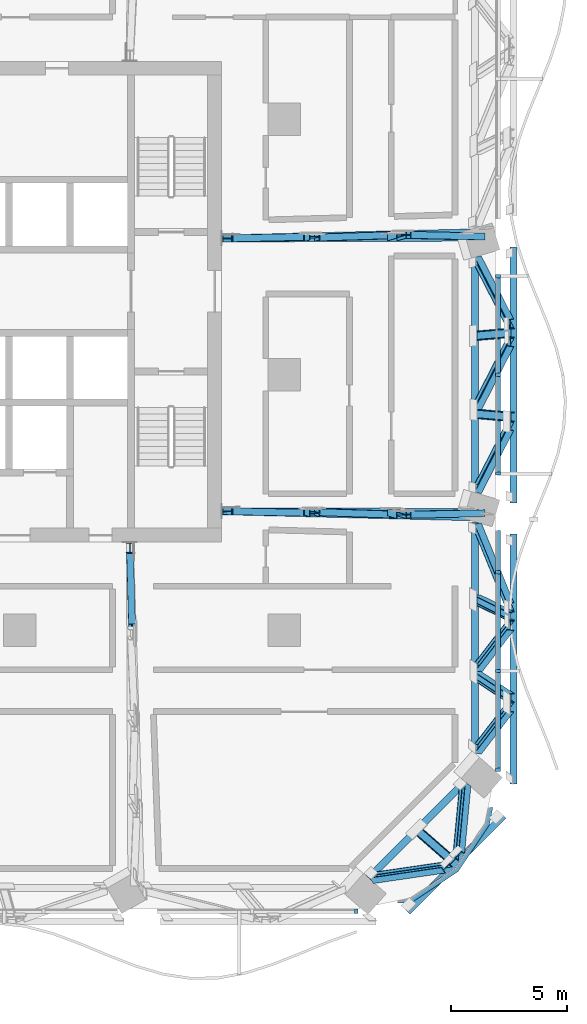
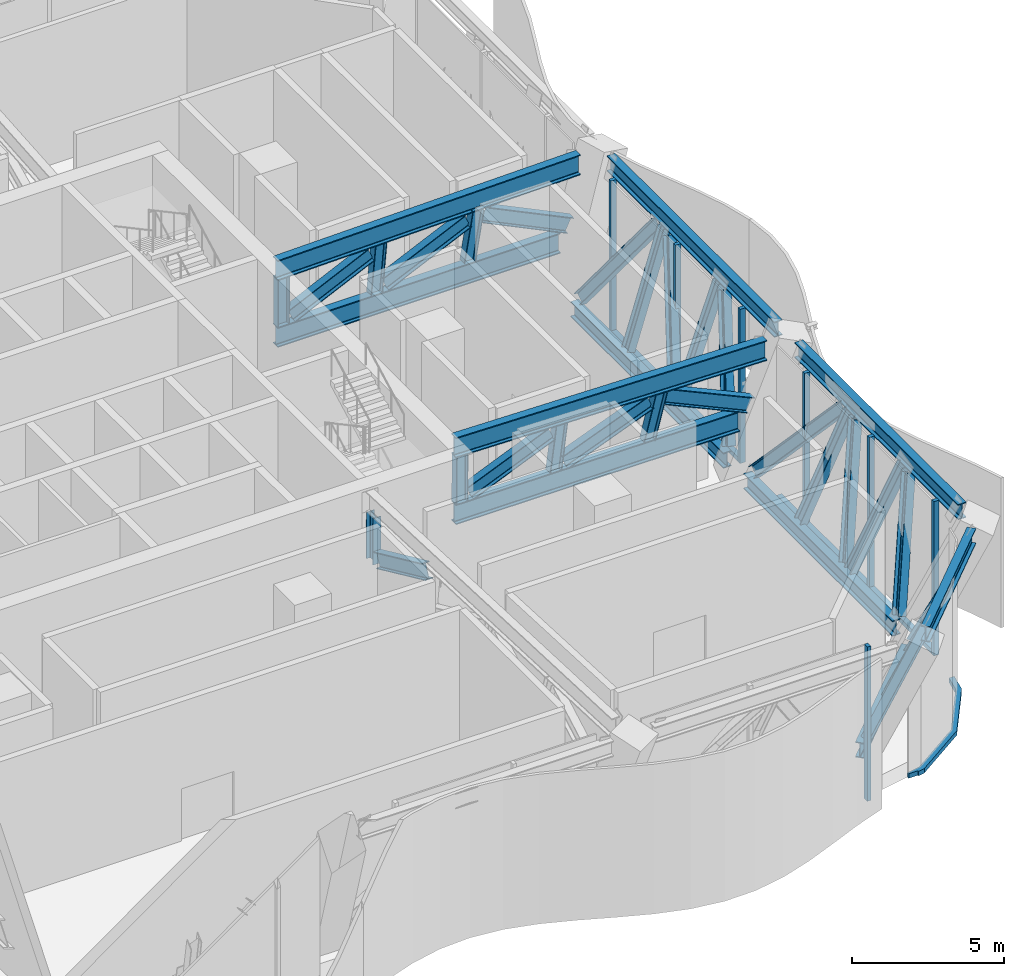
# One storey, part 4 of 26: 50 members, 3 elements without a shape of their own.
"""IFC4 building model written with IfcOpenShell, lengths in metres."""

from ifc_helpers import new_model, si_unit, direction, frame, origin, origin_2d, place, context, subcontext, project, spatial, polyline, rectangle, i_section, outline, extrude, material, material_profile, profile_set, type_object, element, aggregate, save


model = new_model("IFC4")

# Units and contexts
model_context = context("Model", 3, precision=1e-05, world=origin(), true_north=direction((0.0, 1.0)))
body_context = subcontext(model_context, "Body", "Model", "MODEL_VIEW")
ifc_project = project(units=[si_unit("LENGTHUNIT", "METRE"), si_unit("AREAUNIT", "SQUARE_METRE"), si_unit("VOLUMEUNIT", "CUBIC_METRE"), si_unit("PLANEANGLEUNIT", "RADIAN"), si_unit("MASSUNIT", "GRAM", prefix="KILO")], contexts=[model_context])

# Site, building, storey
site_placement = place(None, origin())
site = spatial("IfcSite", under=ifc_project, at=site_placement, CompositionType="ELEMENT")
building_placement = place(site_placement, origin())
building = spatial("IfcBuilding", under=site, at=building_placement, Name="Mopane Tessera Tower", CompositionType="ELEMENT")
storey_placement = place(building_placement, frame((0.0, 0.0, 205.0)))
storey = spatial("IfcBuildingStorey", under=building, at=storey_placement, Name="L43", CompositionType="ELEMENT", Elevation=205.0)

# Curtain wall, member
ifc_material_1 = material(Name="Aluminium frame", Category="aluminium")
curtain_wall_type = type_object("IfcCurtainWallType", Name="Plant floor unitised wall", PredefinedType="NOTDEFINED", material=ifc_material_1)
curtain_wall_1_placement = place(storey_placement, origin())
curtain_wall_1 = element("IfcCurtainWall", 1, at=curtain_wall_1_placement, inside=storey, type_object=curtain_wall_type, Name="e:cw:L43:S:0", PredefinedType="NOTDEFINED")
ifc_material_2 = material(Name="Aluminium frame", Category="aluminium")
ifc_material_profile_1 = material_profile(ifc_material_2, rectangle(XDim=0.139892578125, YDim=0.199951171875, at=origin_2d()))
ifc_profile_set_1 = profile_set([ifc_material_profile_1], Name="Aluminium frame")
member_type_1 = type_object("IfcMemberType", Name="Aluminium mullion 140 x 200", PredefinedType="MULLION", material=ifc_profile_set_1)
member_1_placement = place(storey_placement, frame((20.199951171875, -23.10009765625, -0.60009765625), z_axis=(0.0, 0.0, 1.0), x_axis=(1.0, 0.0, 0.0)))
member_1 = element("IfcMember", 2, at=member_1_placement, type_object=member_type_1, Name="e:cw:L43:S:0:mu9", PredefinedType="MULLION", context=body_context, shape_type="SweptSolid", body=[
    extrude(rectangle(XDim=0.139892578125, YDim=0.199951171875, at=origin_2d()), origin(), (0.0, 0.0, 1.0), 6.2001953125),
])
aggregate(curtain_wall_1, [member_1])

# Curtain wall, members
curtain_wall_2_placement = place(storey_placement, origin())
curtain_wall_2 = element("IfcCurtainWall", 3, at=curtain_wall_2_placement, inside=storey, type_object=curtain_wall_type, Name="e:cw:L43:E:0", PredefinedType="NOTDEFINED")
member_2_placement = place(storey_placement, frame((26.300048828125, -17.0, -0.60009765625), z_axis=(0.0, 0.0, 1.0), x_axis=(0.0, 1.0, 0.0)))
member_2 = element("IfcMember", 4, at=member_2_placement, type_object=member_type_1, Name="e:cw:L43:E:0:mu0", PredefinedType="MULLION", context=body_context, shape_type="SweptSolid", body=[
    extrude(rectangle(XDim=0.139892578125, YDim=0.199951171875, at=origin_2d()), origin(), (0.0, 0.0, 1.0), 6.2001953125),
])
member_3_placement = place(storey_placement, frame((26.300048828125, -12.75, -0.60009765625), z_axis=(0.0, 0.0, 1.0), x_axis=(0.0, 1.0, 0.0)))
member_3 = element("IfcMember", 5, at=member_3_placement, type_object=member_type_1, Name="e:cw:L43:E:0:mu1", PredefinedType="MULLION", context=body_context, shape_type="SweptSolid", body=[
    extrude(rectangle(XDim=0.139892578125, YDim=0.199951171875, at=origin_2d()), origin(), (0.0, 0.0, 1.0), 6.2001953125),
])
member_4_placement = place(storey_placement, frame((26.300048828125, -8.5, -0.60009765625), z_axis=(0.0, 0.0, 1.0), x_axis=(0.0, 1.0, 0.0)))
member_4 = element("IfcMember", 6, at=member_4_placement, type_object=member_type_1, Name="e:cw:L43:E:0:mu2", PredefinedType="MULLION", context=body_context, shape_type="SweptSolid", body=[
    extrude(rectangle(XDim=0.139892578125, YDim=0.199951171875, at=origin_2d()), origin(), (0.0, 0.0, 1.0), 6.2001953125),
])
member_5_placement = place(storey_placement, frame((26.300048828125, -4.25, -0.60009765625), z_axis=(0.0, 0.0, 1.0), x_axis=(0.0, 1.0, 0.0)))
member_5 = element("IfcMember", 7, at=member_5_placement, type_object=member_type_1, Name="e:cw:L43:E:0:mu3", PredefinedType="MULLION", context=body_context, shape_type="SweptSolid", body=[
    extrude(rectangle(XDim=0.139892578125, YDim=0.199951171875, at=origin_2d()), origin(), (0.0, 0.0, 1.0), 6.2001953125),
])
member_6_placement = place(storey_placement, frame((26.300048828125, 0.0, -0.60009765625), z_axis=(0.0, 0.0, 1.0), x_axis=(0.0, 1.0, 0.0)))
member_6 = element("IfcMember", 8, at=member_6_placement, type_object=member_type_1, Name="e:cw:L43:E:0:mu4", PredefinedType="MULLION", context=body_context, shape_type="SweptSolid", body=[
    extrude(rectangle(XDim=0.139892578125, YDim=0.199951171875, at=origin_2d()), origin(), (0.0, 0.0, 1.0), 6.2001953125),
])
member_7_placement = place(storey_placement, frame((26.300048828125, 4.25, -0.60009765625), z_axis=(0.0, 0.0, 1.0), x_axis=(0.0, 1.0, 0.0)))
member_7 = element("IfcMember", 9, at=member_7_placement, type_object=member_type_1, Name="e:cw:L43:E:0:mu5", PredefinedType="MULLION", context=body_context, shape_type="SweptSolid", body=[
    extrude(rectangle(XDim=0.139892578125, YDim=0.199951171875, at=origin_2d()), origin(), (0.0, 0.0, 1.0), 6.2001953125),
])

# Curtain wall, member
curtain_wall_3_placement = place(storey_placement, origin())
curtain_wall_3 = element("IfcCurtainWall", 10, at=curtain_wall_3_placement, inside=storey, type_object=curtain_wall_type, Name="e:cw:L43:CS", PredefinedType="NOTDEFINED")
ifc_material_3 = material(Name="Aluminium frame", Category="aluminium")
ifc_material_profile_2 = material_profile(ifc_material_3, rectangle(XDim=0.199951171875, YDim=0.179931640625, at=origin_2d()))
ifc_profile_set_2 = profile_set([ifc_material_profile_2], Name="Aluminium frame")
member_type_2 = type_object("IfcMemberType", Name="Aluminium transom 200 x 180", PredefinedType="USERDEFINED", material=ifc_profile_set_2)
member_8_placement = place(storey_placement, frame((0.0, 0.0, -0.60009765625)))
member_8 = element("IfcMember", 11, at=member_8_placement, type_object=member_type_2, Name="e:cw:L43:CS:tr", ObjectType="TRANSOM", PredefinedType="USERDEFINED", context=body_context, shape_type="SweptSolid", body=[
    extrude(outline(polyline([(24.442626953125, -21.24267578125), (25.7431640625, -19.296142578125), (25.875732421875, -18.630615234375), (26.07568359375, -18.630615234375), (25.927978515625, -19.37255859375), (24.583984375, -21.384033203125), (22.57275390625, -22.72802734375), (22.322265625, -22.77783203125), (22.322265625, -22.73193359375), (21.977783203125, -22.73193359375), (21.977783203125, -22.646484375), (22.49609375, -22.543212890625), (24.442626953125, -21.24267578125)])), origin(), (0.0, 0.0, 1.0), 0.18017578125),
])
aggregate(curtain_wall_3, [member_8])

# Member
member_9_placement = place(storey_placement, frame((26.300048828125, -16.929931640625, -0.510009765625), z_axis=(0.0, 1.0, 0.0), x_axis=(-1.0, 0.0, 0.0)))
member_9 = element("IfcMember", 12, at=member_9_placement, type_object=member_type_2, Name="e:cw:L43:E:0:tr0", ObjectType="TRANSOM", PredefinedType="USERDEFINED", context=body_context, shape_type="SweptSolid", body=[
    extrude(rectangle(XDim=0.199951171875, YDim=0.179931640625, at=origin_2d()), origin(), (0.0, 0.0, 1.0), 4.10986328125),
])

member_10_placement = place(storey_placement, frame((26.300048828125, -12.679931640625, -0.510009765625), z_axis=(0.0, 1.0, 0.0), x_axis=(-1.0, 0.0, 0.0)))
member_10 = element("IfcMember", 13, at=member_10_placement, type_object=member_type_2, Name="e:cw:L43:E:0:tr1", ObjectType="TRANSOM", PredefinedType="USERDEFINED", context=body_context, shape_type="SweptSolid", body=[
    extrude(rectangle(XDim=0.199951171875, YDim=0.179931640625, at=origin_2d()), origin(), (0.0, 0.0, 1.0), 4.10986328125),
])

member_11_placement = place(storey_placement, frame((26.300048828125, -8.429931640625, -0.510009765625), z_axis=(0.0, 1.0, 0.0), x_axis=(-1.0, 0.0, 0.0)))
member_11 = element("IfcMember", 14, at=member_11_placement, type_object=member_type_2, Name="e:cw:L43:E:0:tr2", ObjectType="TRANSOM", PredefinedType="USERDEFINED", context=body_context, shape_type="SweptSolid", body=[
    extrude(rectangle(XDim=0.199951171875, YDim=0.179931640625, at=origin_2d()), origin(), (0.0, 0.0, 1.0), 1.71923828125),
])

member_12_placement = place(storey_placement, frame((26.300048828125, -4.179931640625, -0.510009765625), z_axis=(0.0, 1.0, 0.0), x_axis=(-1.0, 0.0, 0.0)))
member_12 = element("IfcMember", 15, at=member_12_placement, type_object=member_type_2, Name="e:cw:L43:E:0:tr3", ObjectType="TRANSOM", PredefinedType="USERDEFINED", context=body_context, shape_type="SweptSolid", body=[
    extrude(rectangle(XDim=0.199951171875, YDim=0.179931640625, at=origin_2d()), origin(), (0.0, 0.0, 1.0), 4.10986328125),
])

member_13_placement = place(storey_placement, frame((26.300048828125, 0.070068359375, -0.510009765625), z_axis=(0.0, 1.0, 0.0), x_axis=(-1.0, 0.0, 0.0)))
member_13 = element("IfcMember", 16, at=member_13_placement, type_object=member_type_2, Name="e:cw:L43:E:0:tr4", ObjectType="TRANSOM", PredefinedType="USERDEFINED", context=body_context, shape_type="SweptSolid", body=[
    extrude(rectangle(XDim=0.199951171875, YDim=0.179931640625, at=origin_2d()), origin(), (0.0, 0.0, 1.0), 4.10986328125),
])

aggregate(curtain_wall_2, [member_2, member_3, member_4, member_5, member_6, member_7, member_9, member_10, member_11, member_12, member_13])

# Members
ifc_material_4 = material(Name="Structural steel S460", Category="steel")
ifc_material_profile_3 = material_profile(ifc_material_4, i_section(OverallWidth=0.304931640625, OverallDepth=0.6201171875, WebThickness=0.02099609375, FlangeThickness=0.0400390625, FilletRadius=0.027099609375, at=origin_2d()))
ifc_profile_set_3 = profile_set([ifc_material_profile_3], Name="Structural steel S460")
member_type_3 = type_object("IfcMemberType", Name="Belt truss chord HE 600 M", PredefinedType="CHORD", material=ifc_profile_set_3)
for number, where, z_axis, x_axis, name in (
    (17, (20.7353515625, -21.658447265625, 0.31005859375), (0.707106781187, 0.707106781187, 0.0), (-0.707106781187, 0.707106781187, 0.0), "Belt truss bottom chord L43 S4-E0"),
    (18, (22.395263671875, -23.11083984375, 5.2900390625), (0.707106781187, 0.707106781187, 0.0), (-0.707106781187, 0.707106781187, 0.0), "Belt truss top chord L43 S4-E0"),
):
    element("IfcMember", number, at=place(storey_placement, frame(where, z_axis=z_axis, x_axis=x_axis)), inside=storey, type_object=member_type_3, Name=name, PredefinedType="CHORD", context=body_context, shape_type="SweptSolid", body=[
        extrude(i_section(OverallWidth=0.304931640625, OverallDepth=0.6201171875, WebThickness=0.02099609375, FlangeThickness=0.0400390625, FilletRadius=0.027099609375, at=origin_2d()), origin(), (0.0, 0.0, 1.0), 5.84912109375),
    ])
member_14_placement = place(storey_placement, frame((25.30322265625, -16.160400390625, 0.31005859375), z_axis=(0.0, 1.0, 0.0), x_axis=(-1.0, 0.0, 0.0)))
element("IfcMember", 19, at=member_14_placement, inside=storey, type_object=member_type_3, Name="Belt truss bottom chord L43 E0-E1", PredefinedType="CHORD", context=body_context, shape_type="SweptSolid", body=[
    extrude(i_section(OverallWidth=0.304931640625, OverallDepth=0.6201171875, WebThickness=0.02099609375, FlangeThickness=0.0400390625, FilletRadius=0.027099609375, at=origin_2d()), origin(), (0.0, 0.0, 1.0), 9.794677734375),
])
member_15_placement = place(storey_placement, frame((26.96337890625, -17.61279296875, 5.2900390625), z_axis=(0.0, 1.0, 0.0), x_axis=(-1.0, 0.0, 0.0)))
element("IfcMember", 20, at=member_15_placement, inside=storey, type_object=member_type_3, Name="Belt truss top chord L43 E0-E1", PredefinedType="CHORD", context=body_context, shape_type="SweptSolid", body=[
    extrude(i_section(OverallWidth=0.304931640625, OverallDepth=0.6201171875, WebThickness=0.02099609375, FlangeThickness=0.0400390625, FilletRadius=0.027099609375, at=origin_2d()), origin(), (0.0, 0.0, 1.0), 10.762939453125),
])
member_16_placement = place(storey_placement, frame((25.30322265625, -5.02783203125, 0.31005859375), z_axis=(0.0, 1.0, 0.0), x_axis=(-1.0, 0.0, 0.0)))
element("IfcMember", 21, at=member_16_placement, inside=storey, type_object=member_type_3, Name="Belt truss bottom chord L43 E1-E2", PredefinedType="CHORD", context=body_context, shape_type="SweptSolid", body=[
    extrude(i_section(OverallWidth=0.304931640625, OverallDepth=0.6201171875, WebThickness=0.02099609375, FlangeThickness=0.0400390625, FilletRadius=0.027099609375, at=origin_2d()), origin(), (0.0, 0.0, 1.0), 10.0556640625),
])
member_17_placement = place(storey_placement, frame((26.96337890625, -5.511962890625, 5.2900390625), z_axis=(0.0, 1.0, 0.0), x_axis=(-1.0, 0.0, 0.0)))
element("IfcMember", 22, at=member_17_placement, inside=storey, type_object=member_type_3, Name="Belt truss top chord L43 E1-E2", PredefinedType="CHORD", context=body_context, shape_type="SweptSolid", body=[
    extrude(i_section(OverallWidth=0.304931640625, OverallDepth=0.6201171875, WebThickness=0.02099609375, FlangeThickness=0.0400390625, FilletRadius=0.027099609375, at=origin_2d()), origin(), (0.0, 0.0, 1.0), 11.02392578125),
])
ifc_material_5 = material(Name="Structural steel S460", Category="steel")
ifc_material_profile_4 = material_profile(ifc_material_5, i_section(OverallWidth=0.300048828125, OverallDepth=0.449951171875, WebThickness=0.013916015625, FlangeThickness=0.02587890625, FilletRadius=0.027099609375, at=origin_2d()))
ifc_profile_set_4 = profile_set([ifc_material_profile_4], Name="Structural steel S460")
member_type_4 = type_object("IfcMemberType", Name="Belt truss diagonal HE 450 B", PredefinedType="BRACE", material=ifc_profile_set_4)
member_18_placement = place(storey_placement, frame((20.988525390625, -21.64599609375, 0.695068359375), z_axis=(0.588337593161, 0.085800203806, 0.80405049686), x_axis=(-0.532813929341, 0.789099900019, 0.305664300322)))
element("IfcMember", 23, at=member_18_placement, inside=storey, type_object=member_type_4, Name="Belt truss diagonal 0 L43 S4-E0", PredefinedType="BRACE", context=body_context, shape_type="SweptSolid", body=[
    extrude(i_section(OverallWidth=0.300048828125, OverallDepth=0.449951171875, WebThickness=0.013916015625, FlangeThickness=0.02587890625, FilletRadius=0.027099609375, at=origin_2d()), origin(), (0.0, 0.0, 1.0), 5.235595703125),
])
member_19_placement = place(storey_placement, frame((24.60107421875, -20.66455078125, 4.90478515625), z_axis=(0.053479155953, 0.567155505062, -0.821872625749), x_axis=(-0.779769071983, 0.53785629451, 0.32042284693)))
element("IfcMember", 24, at=member_19_placement, inside=storey, type_object=member_type_4, Name="Belt truss diagonal 1 L43 S4-E0", PredefinedType="BRACE", context=body_context, shape_type="SweptSolid", body=[
    extrude(i_section(OverallWidth=0.300048828125, OverallDepth=0.449951171875, WebThickness=0.013916015625, FlangeThickness=0.02587890625, FilletRadius=0.027099609375, at=origin_2d()), origin(), (0.0, 0.0, 1.0), 5.1220703125),
])
member_20_placement = place(storey_placement, frame((25.436279296875, -16.102783203125, 0.708984375), z_axis=(0.292684281038, 0.378746786794, 0.878001584922), x_axis=(-0.9562091341, 0.115986684967, 0.268721381312)))
element("IfcMember", 25, at=member_20_placement, inside=storey, type_object=member_type_4, Name="Belt truss diagonal 0 L43 E0-E1", PredefinedType="BRACE", context=body_context, shape_type="SweptSolid", body=[
    extrude(i_section(OverallWidth=0.300048828125, OverallDepth=0.449951171875, WebThickness=0.013916015625, FlangeThickness=0.02587890625, FilletRadius=0.027099609375, at=origin_2d()), origin(), (0.0, 0.0, 1.0), 4.762939453125),
])
member_21_placement = place(storey_placement, frame((25.43359375, -12.606689453125, 0.700927734375), z_axis=(0.292465810792, 0.380430056746, 0.877346409032), x_axis=(-0.956275976822, 0.116422330726, 0.268294795071)))
element("IfcMember", 26, at=member_21_placement, inside=storey, type_object=member_type_4, Name="Belt truss diagonal 1 L43 E0-E1", PredefinedType="BRACE", context=body_context, shape_type="SweptSolid", body=[
    extrude(i_section(OverallWidth=0.300048828125, OverallDepth=0.449951171875, WebThickness=0.013916015625, FlangeThickness=0.02587890625, FilletRadius=0.027099609375, at=origin_2d()), origin(), (0.0, 0.0, 1.0), 4.784912109375),
])
member_22_placement = place(storey_placement, frame((26.830322265625, -9.988525390625, 4.890869140625), z_axis=(-0.250092587461, 0.612047953972, -0.750233963331), x_axis=(-0.968221925622, -0.158109369998, 0.193772366101)))
element("IfcMember", 27, at=member_22_placement, inside=storey, type_object=member_type_4, Name="Belt truss diagonal 2 L43 E0-E1", PredefinedType="BRACE", context=body_context, shape_type="SweptSolid", body=[
    extrude(i_section(OverallWidth=0.300048828125, OverallDepth=0.449951171875, WebThickness=0.013916015625, FlangeThickness=0.02587890625, FilletRadius=0.027099609375, at=origin_2d()), origin(), (0.0, 0.0, 1.0), 5.57421875),
])
member_23_placement = place(storey_placement, frame((25.4375, -4.8974609375, 0.71240234375), z_axis=(0.269576353856, 0.522694361897, 0.808776355665), x_axis=(-0.962979017302, 0.146287345786, 0.226431942752)))
element("IfcMember", 28, at=member_23_placement, inside=storey, type_object=member_type_4, Name="Belt truss diagonal 0 L43 E1-E2", PredefinedType="BRACE", context=body_context, shape_type="SweptSolid", body=[
    extrude(i_section(OverallWidth=0.300048828125, OverallDepth=0.449951171875, WebThickness=0.013916015625, FlangeThickness=0.02587890625, FilletRadius=0.027099609375, at=origin_2d()), origin(), (0.0, 0.0, 1.0), 5.162109375),
])
member_24_placement = place(storey_placement, frame((25.434814453125, -1.31494140625, 0.70458984375), z_axis=(0.269185843615, 0.524775967411, 0.807557530845), x_axis=(-0.963088252065, 0.146692187069, 0.225704277733)))
element("IfcMember", 29, at=member_24_placement, inside=storey, type_object=member_type_4, Name="Belt truss diagonal 1 L43 E1-E2", PredefinedType="BRACE", context=body_context, shape_type="SweptSolid", body=[
    extrude(i_section(OverallWidth=0.300048828125, OverallDepth=0.449951171875, WebThickness=0.013916015625, FlangeThickness=0.02587890625, FilletRadius=0.027099609375, at=origin_2d()), origin(), (0.0, 0.0, 1.0), 5.189697265625),
])
member_25_placement = place(storey_placement, frame((26.8291015625, 2.19921875, 4.887451171875), z_axis=(-0.269576353856, 0.522694361897, -0.808776355665), x_axis=(-0.962979017302, -0.146287345786, 0.226431942752)))
element("IfcMember", 30, at=member_25_placement, inside=storey, type_object=member_type_4, Name="Belt truss diagonal 2 L43 E1-E2", PredefinedType="BRACE", context=body_context, shape_type="SweptSolid", body=[
    extrude(i_section(OverallWidth=0.300048828125, OverallDepth=0.449951171875, WebThickness=0.013916015625, FlangeThickness=0.02587890625, FilletRadius=0.027099609375, at=origin_2d()), origin(), (0.0, 0.0, 1.0), 5.162109375),
])
ifc_material_6 = material(Name="Structural steel S460", Category="steel")
ifc_material_profile_5 = material_profile(ifc_material_6, i_section(OverallWidth=0.300048828125, OverallDepth=0.39990234375, WebThickness=0.013427734375, FlangeThickness=0.02392578125, FilletRadius=0.027099609375, at=origin_2d()))
ifc_profile_set_5 = profile_set([ifc_material_profile_5], Name="Structural steel S460")
member_type_5 = type_object("IfcMemberType", Name="Belt truss post HE 400 B", PredefinedType="POST", material=ifc_profile_set_5)
member_26_placement = place(storey_placement, frame((22.90673828125, -19.680908203125, 0.6201171875), z_axis=(0.304747191125, -0.266653792234, 0.914343974984), x_axis=(-0.638405437369, 0.655233196954, 0.403866258985)))
element("IfcMember", 31, at=member_26_placement, inside=storey, type_object=member_type_5, Name="Belt truss post 1 L43 S4-E0", PredefinedType="POST", context=body_context, shape_type="SweptSolid", body=[
    extrude(i_section(OverallWidth=0.300048828125, OverallDepth=0.39990234375, WebThickness=0.013427734375, FlangeThickness=0.02392578125, FilletRadius=0.027099609375, at=origin_2d()), origin(), (0.0, 0.0, 1.0), 4.768310546875),
])
member_27_placement = place(storey_placement, frame((25.40673828125, -12.9638671875, 0.6201171875), z_axis=(0.309522043948, -0.204371914098, 0.928670137906), x_axis=(-0.950892266512, -0.066480921582, 0.302298171602)))
element("IfcMember", 32, at=member_27_placement, inside=storey, type_object=member_type_5, Name="Belt truss post 1 L43 E0-E1", PredefinedType="POST", context=body_context, shape_type="SweptSolid", body=[
    extrude(i_section(OverallWidth=0.300048828125, OverallDepth=0.39990234375, WebThickness=0.013427734375, FlangeThickness=0.02392578125, FilletRadius=0.027099609375, at=origin_2d()), origin(), (0.0, 0.0, 1.0), 4.69482421875),
])
member_28_placement = place(storey_placement, frame((25.40673828125, -9.681640625, 0.6201171875), z_axis=(0.312421061846, -0.154058436915, 0.937368165733), x_axis=(-0.94994372346, -0.050616707484, 0.308293482225)))
element("IfcMember", 33, at=member_28_placement, inside=storey, type_object=member_type_5, Name="Belt truss post 2 L43 E0-E1", PredefinedType="POST", context=body_context, shape_type="SweptSolid", body=[
    extrude(i_section(OverallWidth=0.300048828125, OverallDepth=0.39990234375, WebThickness=0.013427734375, FlangeThickness=0.02392578125, FilletRadius=0.027099609375, at=origin_2d()), origin(), (0.0, 0.0, 1.0), 4.651123046875),
])
for number, where, z_axis, x_axis, name in (
    (34, (25.40673828125, -1.684814453125, 0.6201171875), (0.316079447908, -0.027136525182, 0.948344553214), (-0.948732722766, -0.008979687174, 0.315951872872), "Belt truss post 1 L43 E1-E2"),
    (35, (25.40673828125, 1.684814453125, 0.6201171875), (0.316079447908, 0.027136525182, 0.948344553214), (-0.948732722766, 0.008979687174, 0.315951872872), "Belt truss post 2 L43 E1-E2"),
):
    element("IfcMember", number, at=place(storey_placement, frame(where, z_axis=z_axis, x_axis=x_axis)), inside=storey, type_object=member_type_5, Name=name, PredefinedType="POST", context=body_context, shape_type="SweptSolid", body=[
        extrude(i_section(OverallWidth=0.300048828125, OverallDepth=0.39990234375, WebThickness=0.013427734375, FlangeThickness=0.02392578125, FilletRadius=0.027099609375, at=origin_2d()), origin(), (0.0, 0.0, 1.0), 4.597412109375),
    ])
ifc_material_7 = material(Name="Structural steel S460", Category="steel")
ifc_material_profile_6 = material_profile(ifc_material_7, i_section(OverallWidth=0.302978515625, OverallDepth=0.81396484375, WebThickness=0.02099609375, FlangeThickness=0.0400390625, FilletRadius=0.030029296875, at=origin_2d()))
ifc_profile_set_6 = profile_set([ifc_material_profile_6], Name="Structural steel S460")
member_type_6 = type_object("IfcMemberType", Name="Outrigger truss chord HE 800 M", PredefinedType="CHORD", material=ifc_profile_set_6)
member_29_placement = place(storey_placement, frame((14.4150390625, -5.870849609375, 2.507080078125), z_axis=(0.99999421857, -0.003400415596, 0.0), x_axis=(0.003400415596, 0.99999421857, 0.0)))
element("IfcMember", 36, at=member_29_placement, inside=storey, type_object=member_type_6, Name="Outrigger truss bottom chord L43 E1", PredefinedType="CHORD", context=body_context, shape_type="SweptSolid", body=[
    extrude(i_section(OverallWidth=0.302978515625, OverallDepth=0.81396484375, WebThickness=0.02099609375, FlangeThickness=0.0400390625, FilletRadius=0.030029296875, at=origin_2d()), origin(), (0.0, 0.0, 1.0), 10.76953125),
])
member_30_placement = place(storey_placement, frame((14.4150390625, -5.871337890625, 5.193115234375), z_axis=(0.999712224679, -0.023988910496, 0.0), x_axis=(0.023988910496, 0.999712224679, 0.0)))
element("IfcMember", 37, at=member_30_placement, inside=storey, type_object=member_type_6, Name="Outrigger truss top chord L43 E1", PredefinedType="CHORD", context=body_context, shape_type="SweptSolid", body=[
    extrude(i_section(OverallWidth=0.302978515625, OverallDepth=0.81396484375, WebThickness=0.02099609375, FlangeThickness=0.0400390625, FilletRadius=0.030029296875, at=origin_2d()), origin(), (0.0, 0.0, 1.0), 11.67333984375),
])
member_31_placement = place(storey_placement, frame((14.4150390625, 5.870849609375, 2.507080078125), z_axis=(0.99999421857, 0.003400415596, 0.0), x_axis=(-0.003400415596, 0.99999421857, 0.0)))
element("IfcMember", 38, at=member_31_placement, inside=storey, type_object=member_type_6, Name="Outrigger truss bottom chord L43 E2", PredefinedType="CHORD", context=body_context, shape_type="SweptSolid", body=[
    extrude(i_section(OverallWidth=0.302978515625, OverallDepth=0.81396484375, WebThickness=0.02099609375, FlangeThickness=0.0400390625, FilletRadius=0.030029296875, at=origin_2d()), origin(), (0.0, 0.0, 1.0), 10.76953125),
])
member_32_placement = place(storey_placement, frame((14.4150390625, 5.871337890625, 5.193115234375), z_axis=(0.999712224679, 0.023988910496, 0.0), x_axis=(-0.023988910496, 0.999712224679, 0.0)))
element("IfcMember", 39, at=member_32_placement, inside=storey, type_object=member_type_6, Name="Outrigger truss top chord L43 E2", PredefinedType="CHORD", context=body_context, shape_type="SweptSolid", body=[
    extrude(i_section(OverallWidth=0.302978515625, OverallDepth=0.81396484375, WebThickness=0.02099609375, FlangeThickness=0.0400390625, FilletRadius=0.030029296875, at=origin_2d()), origin(), (0.0, 0.0, 1.0), 11.67333984375),
])
ifc_material_8 = material(Name="Structural steel S460", Category="steel")
ifc_material_profile_7 = material_profile(ifc_material_8, i_section(OverallWidth=0.300048828125, OverallDepth=0.60009765625, WebThickness=0.015380859375, FlangeThickness=0.030029296875, FilletRadius=0.027099609375, at=origin_2d()))
ifc_profile_set_7 = profile_set([ifc_material_profile_7], Name="Structural steel S460")
member_type_7 = type_object("IfcMemberType", Name="Outrigger truss diagonal HE 600 B", PredefinedType="BRACE", material=ifc_profile_set_7)
member_33_placement = place(storey_placement, frame((14.9677734375, -5.8759765625, 3.16748046875), z_axis=(0.913549193723, -0.019256326466, 0.406272155751), x_axis=(0.018145929553, 0.999813660308, 0.006585582837)))
element("IfcMember", 40, at=member_33_placement, inside=storey, type_object=member_type_7, Name="Outrigger truss diagonal 0 L43 E1", PredefinedType="BRACE", context=body_context, shape_type="SweptSolid", body=[
    extrude(i_section(OverallWidth=0.300048828125, OverallDepth=0.60009765625, WebThickness=0.015380859375, FlangeThickness=0.030029296875, FilletRadius=0.027099609375, at=origin_2d()), origin(), (0.0, 0.0, 1.0), 3.35986328125),
])
member_34_placement = place(storey_placement, frame((18.549072265625, -5.9072265625, 3.16748046875), z_axis=(0.919696148503, -0.030108058154, 0.391474774746), x_axis=(0.028224822525, 0.999545761781, 0.010565486265)))
element("IfcMember", 41, at=member_34_placement, inside=storey, type_object=member_type_7, Name="Outrigger truss diagonal 1 L43 E1", PredefinedType="BRACE", context=body_context, shape_type="SweptSolid", body=[
    extrude(i_section(OverallWidth=0.300048828125, OverallDepth=0.60009765625, WebThickness=0.015380859375, FlangeThickness=0.030029296875, FilletRadius=0.027099609375, at=origin_2d()), origin(), (0.0, 0.0, 1.0), 3.48681640625),
])
member_35_placement = place(storey_placement, frame((22.415771484375, -6.0244140625, 4.527099609375), z_axis=(0.904625953509, 0.019337315433, -0.425767486393), x_axis=(-0.016879154357, 0.999811966745, 0.009545957359)))
element("IfcMember", 42, at=member_35_placement, inside=storey, type_object=member_type_7, Name="Outrigger truss diagonal 2 L43 E1", PredefinedType="BRACE", context=body_context, shape_type="SweptSolid", body=[
    extrude(i_section(OverallWidth=0.300048828125, OverallDepth=0.60009765625, WebThickness=0.015380859375, FlangeThickness=0.030029296875, FilletRadius=0.027099609375, at=origin_2d()), origin(), (0.0, 0.0, 1.0), 3.5224609375),
])
member_36_placement = place(storey_placement, frame((14.9677734375, 5.8759765625, 3.16748046875), z_axis=(0.913549193723, 0.019256326466, 0.406272155751), x_axis=(-0.018145929553, 0.999813660308, -0.006585582837)))
element("IfcMember", 43, at=member_36_placement, inside=storey, type_object=member_type_7, Name="Outrigger truss diagonal 0 L43 E2", PredefinedType="BRACE", context=body_context, shape_type="SweptSolid", body=[
    extrude(i_section(OverallWidth=0.300048828125, OverallDepth=0.60009765625, WebThickness=0.015380859375, FlangeThickness=0.030029296875, FilletRadius=0.027099609375, at=origin_2d()), origin(), (0.0, 0.0, 1.0), 3.35986328125),
])
member_37_placement = place(storey_placement, frame((18.549072265625, 5.9072265625, 3.16748046875), z_axis=(0.919696148503, 0.030108058154, 0.391474774746), x_axis=(-0.028224822525, 0.999545761781, -0.010565486265)))
element("IfcMember", 44, at=member_37_placement, inside=storey, type_object=member_type_7, Name="Outrigger truss diagonal 1 L43 E2", PredefinedType="BRACE", context=body_context, shape_type="SweptSolid", body=[
    extrude(i_section(OverallWidth=0.300048828125, OverallDepth=0.60009765625, WebThickness=0.015380859375, FlangeThickness=0.030029296875, FilletRadius=0.027099609375, at=origin_2d()), origin(), (0.0, 0.0, 1.0), 3.48681640625),
])
member_38_placement = place(storey_placement, frame((22.415771484375, 6.0244140625, 4.527099609375), z_axis=(0.904625953509, -0.019337315433, -0.425767486393), x_axis=(0.016879154357, 0.999811966745, -0.009545957359)))
element("IfcMember", 45, at=member_38_placement, inside=storey, type_object=member_type_7, Name="Outrigger truss diagonal 2 L43 E2", PredefinedType="BRACE", context=body_context, shape_type="SweptSolid", body=[
    extrude(i_section(OverallWidth=0.300048828125, OverallDepth=0.60009765625, WebThickness=0.015380859375, FlangeThickness=0.030029296875, FilletRadius=0.027099609375, at=origin_2d()), origin(), (0.0, 0.0, 1.0), 3.5224609375),
])
member_39_placement = place(storey_placement, frame((10.45654296875, -7.760986328125, 3.16943359375), z_axis=(0.025267243484, -0.914543895967, 0.40369670392), x_axis=(0.999679185299, 0.023825766607, -0.008594144887)))
element("IfcMember", 46, at=member_39_placement, inside=storey, type_object=member_type_7, Name="Outrigger truss diagonal 0 L43 S3", PredefinedType="BRACE", context=body_context, shape_type="SweptSolid", body=[
    extrude(i_section(OverallWidth=0.300048828125, OverallDepth=0.60009765625, WebThickness=0.015380859375, FlangeThickness=0.030029296875, FilletRadius=0.027099609375, at=origin_2d()), origin(), (0.0, 0.0, 1.0), 3.3720703125),
])
ifc_material_9 = material(Name="Structural steel S460", Category="steel")
ifc_material_profile_8 = material_profile(ifc_material_9, i_section(OverallWidth=0.300048828125, OverallDepth=0.449951171875, WebThickness=0.013916015625, FlangeThickness=0.02587890625, FilletRadius=0.027099609375, at=origin_2d()))
ifc_profile_set_8 = profile_set([ifc_material_profile_8], Name="Structural steel S460")
member_type_8 = type_object("IfcMemberType", Name="Outrigger truss post HE 450 B", PredefinedType="POST", material=ifc_profile_set_8)
member_40_placement = place(storey_placement, frame((14.642822265625, -5.87255859375, 2.9140625), z_axis=(0.006912564535, -0.001956386189, 0.999974194169), x_axis=(-0.004536800227, 0.999987733023, 0.001987774411)))
element("IfcMember", 47, at=member_40_placement, inside=storey, type_object=member_type_8, Name="Outrigger truss post 0 L43 E1", PredefinedType="POST", context=body_context, shape_type="SweptSolid", body=[
    extrude(i_section(OverallWidth=0.300048828125, OverallDepth=0.449951171875, WebThickness=0.013916015625, FlangeThickness=0.02587890625, FilletRadius=0.027099609375, at=origin_2d()), origin(), (0.0, 0.0, 1.0), 1.871826171875),
])
member_41_placement = place(storey_placement, frame((18.19873046875, -5.896484375, 2.9140625), z_axis=(0.106806504577, -0.031108690654, 0.993793046839), x_axis=(0.006358663984, 0.999511352649, 0.030604302271)))
element("IfcMember", 48, at=member_41_placement, inside=storey, type_object=member_type_8, Name="Outrigger truss post 1 L43 E1", PredefinedType="POST", context=body_context, shape_type="SweptSolid", body=[
    extrude(i_section(OverallWidth=0.300048828125, OverallDepth=0.449951171875, WebThickness=0.013916015625, FlangeThickness=0.02587890625, FilletRadius=0.027099609375, at=origin_2d()), origin(), (0.0, 0.0, 1.0), 1.883544921875),
])
member_42_placement = place(storey_placement, frame((21.75439453125, -5.92041015625, 2.9140625), z_axis=(0.203560060069, -0.059270775161, 0.977266737977), x_axis=(0.014947584974, 0.99823767882, 0.057429141444)))
element("IfcMember", 49, at=member_42_placement, inside=storey, type_object=member_type_8, Name="Outrigger truss post 2 L43 E1", PredefinedType="POST", context=body_context, shape_type="SweptSolid", body=[
    extrude(i_section(OverallWidth=0.300048828125, OverallDepth=0.449951171875, WebThickness=0.013916015625, FlangeThickness=0.02587890625, FilletRadius=0.027099609375, at=origin_2d()), origin(), (0.0, 0.0, 1.0), 1.915283203125),
])
member_43_placement = place(storey_placement, frame((14.642822265625, 5.87255859375, 2.9140625), z_axis=(0.006912564535, 0.001956386189, 0.999974194169), x_axis=(0.004536800227, 0.999987733023, -0.001987774411)))
element("IfcMember", 50, at=member_43_placement, inside=storey, type_object=member_type_8, Name="Outrigger truss post 0 L43 E2", PredefinedType="POST", context=body_context, shape_type="SweptSolid", body=[
    extrude(i_section(OverallWidth=0.300048828125, OverallDepth=0.449951171875, WebThickness=0.013916015625, FlangeThickness=0.02587890625, FilletRadius=0.027099609375, at=origin_2d()), origin(), (0.0, 0.0, 1.0), 1.871826171875),
])
member_44_placement = place(storey_placement, frame((18.19873046875, 5.896484375, 2.9140625), z_axis=(0.106806504577, 0.031108690654, 0.993793046839), x_axis=(-0.006358663984, 0.999511352649, -0.030604302271)))
element("IfcMember", 51, at=member_44_placement, inside=storey, type_object=member_type_8, Name="Outrigger truss post 1 L43 E2", PredefinedType="POST", context=body_context, shape_type="SweptSolid", body=[
    extrude(i_section(OverallWidth=0.300048828125, OverallDepth=0.449951171875, WebThickness=0.013916015625, FlangeThickness=0.02587890625, FilletRadius=0.027099609375, at=origin_2d()), origin(), (0.0, 0.0, 1.0), 1.883544921875),
])
member_45_placement = place(storey_placement, frame((21.75439453125, 5.92041015625, 2.9140625), z_axis=(0.203560060069, 0.059270775161, 0.977266737977), x_axis=(-0.014947584974, 0.99823767882, -0.057429141444)))
element("IfcMember", 52, at=member_45_placement, inside=storey, type_object=member_type_8, Name="Outrigger truss post 2 L43 E2", PredefinedType="POST", context=body_context, shape_type="SweptSolid", body=[
    extrude(i_section(OverallWidth=0.300048828125, OverallDepth=0.449951171875, WebThickness=0.013916015625, FlangeThickness=0.02587890625, FilletRadius=0.027099609375, at=origin_2d()), origin(), (0.0, 0.0, 1.0), 1.915283203125),
])
member_46_placement = place(storey_placement, frame((10.4521484375, -7.44189453125, 2.9140625), z_axis=(0.00260854618, -0.004564955816, 0.999986178237), x_axis=(0.999987060879, 0.004379206021, -0.002588557324)))
element("IfcMember", 53, at=member_46_placement, inside=storey, type_object=member_type_8, Name="Outrigger truss post 0 L43 S3", PredefinedType="POST", context=body_context, shape_type="SweptSolid", body=[
    extrude(i_section(OverallWidth=0.300048828125, OverallDepth=0.449951171875, WebThickness=0.013916015625, FlangeThickness=0.02587890625, FilletRadius=0.027099609375, at=origin_2d()), origin(), (0.0, 0.0, 1.0), 1.871826171875),
])

save(model, "model.ifc")
